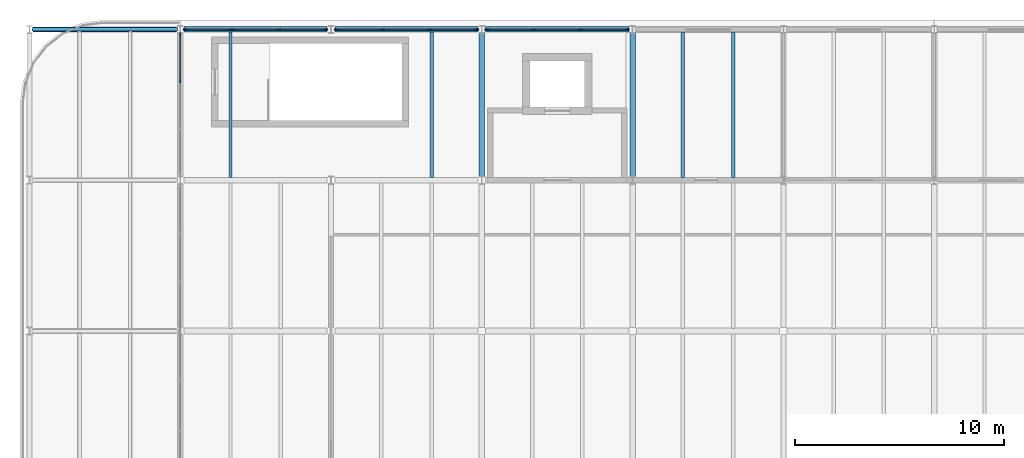
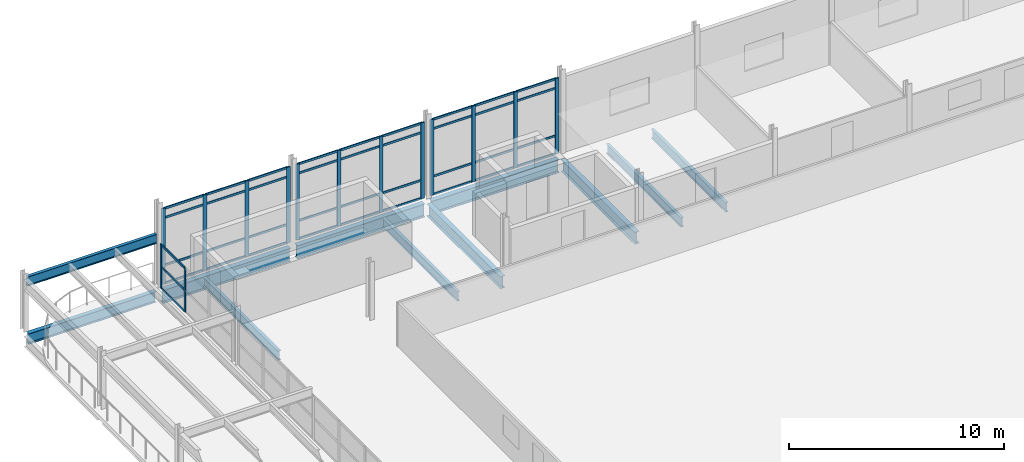
# One storey, part 13 of 25: 53 members, 11 beams, 4 elements without a shape of their own.
"""IFC4 building model written with IfcOpenShell, lengths in metres."""

from ifc_helpers import new_model, si_unit, direction, frame, origin, origin_2d, place, context, subcontext, project, spatial, rectangle, i_section, extrude, material, material_profile, profile_set, type_object, element, aggregate, save


model = new_model("IFC4")

# Units and contexts
model_context = context("Model", 3, precision=1e-05, world=origin(), true_north=direction((0.0, 1.0)))
body_context = subcontext(model_context, "Body", "Model", "MODEL_VIEW")
ifc_project = project(units=[si_unit("LENGTHUNIT", "METRE"), si_unit("AREAUNIT", "SQUARE_METRE"), si_unit("VOLUMEUNIT", "CUBIC_METRE"), si_unit("PLANEANGLEUNIT", "RADIAN"), si_unit("MASSUNIT", "GRAM", prefix="KILO")], contexts=[model_context])

# Site, building, storey
site_placement = place(None, origin())
site = spatial("IfcSite", under=ifc_project, at=site_placement, CompositionType="ELEMENT")
building_placement = place(site_placement, origin())
building = spatial("IfcBuilding", under=site, at=building_placement, Name="Vaelcorin Mobility Hub", CompositionType="ELEMENT")
storey_placement = place(building_placement, frame((0.0, 0.0, 21.0)))
storey = spatial("IfcBuildingStorey", under=building, at=storey_placement, Name="L05", CompositionType="ELEMENT", Elevation=21.0)

# Beams
ifc_material_1 = material(Name="Steel ASTM A992 Grade 50", Category="steel")
ifc_material_profile_1 = material_profile(ifc_material_1, i_section(OverallWidth=0.166015625, OverallDepth=0.528076171875, WebThickness=0.009765625, FlangeThickness=0.013671875, FilletRadius=0.013916015625, at=origin_2d()), Name="W21X50")
ifc_profile_set_1 = profile_set([ifc_material_profile_1], Name="Steel ASTM A992 Grade 50")
beam_type_1 = type_object("IfcBeamType", Name="BM-W21X50", PredefinedType="JOIST", material=ifc_profile_set_1)
for number, where, z_axis, x_axis, name in (
    (1, (45.60009765625, 112.931884765625, -0.52392578125), (0.0, 1.0, 0.0), (-1.0, 0.0, 0.0), "L05 Beam V3-L05-J-01-05-1"),
    (2, (55.199951171875, 112.931884765625, -0.52392578125), (0.0, 1.0, 0.0), (-1.0, 0.0, 0.0), "L05 Beam V3-L05-J-02-05-2"),
    (3, (67.199951171875, 112.931884765625, -0.52392578125), (0.0, 1.0, 0.0), (-1.0, 0.0, 0.0), "L05 Beam V3-L05-J-04-05-1"),
    (4, (69.60009765625, 112.931884765625, -0.52392578125), (0.0, 1.0, 0.0), (-1.0, 0.0, 0.0), "L05 Beam V3-L05-J-04-05-2"),
):
    element("IfcBeam", number, at=place(storey_placement, frame(where, z_axis=z_axis, x_axis=x_axis)), inside=storey, type_object=beam_type_1, Name=name, PredefinedType="JOIST", context=body_context, shape_type="SweptSolid", body=[
        extrude(i_section(OverallWidth=0.166015625, OverallDepth=0.528076171875, WebThickness=0.009765625, FlangeThickness=0.013671875, FilletRadius=0.013916015625, at=origin_2d()), origin(), (0.0, 0.0, 1.0), 6.93603515625),
    ])
beam_1_placement = place(storey_placement, frame((36.125, 120.0, 2.736083984375), z_axis=(1.0, 0.0, 0.0), x_axis=(0.0, 1.0, 0.0)))
element("IfcBeam", 5, at=beam_1_placement, inside=storey, type_object=beam_type_1, Name="L05 Beam V3-PERG-GX-01-05", PredefinedType="JOIST", context=body_context, shape_type="SweptSolid", body=[
    extrude(i_section(OverallWidth=0.166015625, OverallDepth=0.528076171875, WebThickness=0.009765625, FlangeThickness=0.013671875, FilletRadius=0.013916015625, at=origin_2d()), origin(), (0.0, 0.0, 1.0), 6.948974609375),
])
ifc_material_profile_2 = material_profile(ifc_material_1, i_section(OverallWidth=0.22802734375, OverallDepth=0.60205078125, WebThickness=0.010498046875, FlangeThickness=0.014892578125, FilletRadius=0.014892578125, at=origin_2d()), Name="W24X68")
ifc_profile_set_2 = profile_set([ifc_material_profile_2], Name="Steel ASTM A992 Grade 50")
beam_type_2 = type_object("IfcBeamType", Name="BM-W24X68", PredefinedType="SPANDREL", material=ifc_profile_set_2)
beam_2_placement = place(storey_placement, frame((36.181884765625, 120.0, -0.52099609375), z_axis=(1.0, 0.0, 0.0), x_axis=(0.0, 1.0, 0.0)))
element("IfcBeam", 6, at=beam_2_placement, inside=storey, type_object=beam_type_2, Name="L05 Beam V3W-L05-GX-06-01", PredefinedType="SPANDREL", context=body_context, shape_type="SweptSolid", body=[
    extrude(i_section(OverallWidth=0.22802734375, OverallDepth=0.60205078125, WebThickness=0.010498046875, FlangeThickness=0.014892578125, FilletRadius=0.014892578125, at=origin_2d()), origin(), (0.0, 0.0, 1.0), 6.836181640625),
])
ifc_material_profile_3 = material_profile(ifc_material_1, i_section(OverallWidth=0.25390625, OverallDepth=0.68310546875, WebThickness=0.012451171875, FlangeThickness=0.018798828125, FilletRadius=0.01611328125, at=origin_2d()), Name="W27X94")
ifc_profile_set_3 = profile_set([ifc_material_profile_3], Name="Steel ASTM A992 Grade 50")
beam_type_3 = type_object("IfcBeamType", Name="BM-W27X94", PredefinedType="BEAM", material=ifc_profile_set_3)
for number, where, z_axis, x_axis, name in (
    (7, (57.60009765625, 112.97998046875, -0.60205078125), (0.0, 1.0, 0.0), (-1.0, 0.0, 0.0), "L05 Beam V3-L05-GY-03-05"),
    (8, (64.800048828125, 112.97998046875, -0.60205078125), (0.0, 1.0, 0.0), (-1.0, 0.0, 0.0), "L05 Beam V3-L05-GY-04-05"),
):
    element("IfcBeam", number, at=place(storey_placement, frame(where, z_axis=z_axis, x_axis=x_axis)), inside=storey, type_object=beam_type_3, Name=name, PredefinedType="BEAM", context=body_context, shape_type="SweptSolid", body=[
        extrude(i_section(OverallWidth=0.25390625, OverallDepth=0.68310546875, WebThickness=0.012451171875, FlangeThickness=0.018798828125, FilletRadius=0.01611328125, at=origin_2d()), origin(), (0.0, 0.0, 1.0), 6.843994140625),
    ])
ifc_material_profile_4 = material_profile(ifc_material_1, i_section(OverallWidth=0.26708984375, OverallDepth=0.757080078125, WebThickness=0.013916015625, FlangeThickness=0.019287109375, FilletRadius=0.01708984375, at=origin_2d()), Name="W30X108")
ifc_profile_set_4 = profile_set([ifc_material_profile_4], Name="Steel ASTM A992 Grade 50")
beam_type_4 = type_object("IfcBeamType", Name="BM-W30X108", PredefinedType="BEAM", material=ifc_profile_set_4)
for number, where, z_axis, x_axis, name in (
    (9, (43.382080078125, 120.0, -0.637939453125), (1.0, 0.0, 0.0), (0.0, 1.0, 0.0), "L05 Beam V3-L05-GX-06-01"),
    (10, (50.58203125, 120.0, -0.637939453125), (1.0, 0.0, 0.0), (0.0, 1.0, 0.0), "L05 Beam V3-L05-GX-06-02"),
    (11, (57.781982421875, 120.0, -0.637939453125), (1.0, 0.0, 0.0), (0.0, 1.0, 0.0), "L05 Beam V3-L05-GX-06-03"),
):
    element("IfcBeam", number, at=place(storey_placement, frame(where, z_axis=z_axis, x_axis=x_axis)), inside=storey, type_object=beam_type_4, Name=name, PredefinedType="BEAM", context=body_context, shape_type="SweptSolid", body=[
        extrude(i_section(OverallWidth=0.26708984375, OverallDepth=0.757080078125, WebThickness=0.013916015625, FlangeThickness=0.019287109375, FilletRadius=0.01708984375, at=origin_2d()), origin(), (0.0, 0.0, 1.0), 6.8359375),
    ])

# Curtain wall, members
ifc_material_2 = material(Name="Anodised aluminium 6063-T6", Category="aluminium")
curtain_wall_type_1 = type_object("IfcCurtainWallType", Name="CW-SPT-A", PredefinedType="NOTDEFINED", material=ifc_material_2)
curtain_wall_1_placement = place(storey_placement, origin())
curtain_wall_1 = element("IfcCurtainWall", 12, at=curtain_wall_1_placement, inside=storey, type_object=curtain_wall_type_1, Name="L05 Curtain Wall CW-V3-W-05", PredefinedType="NOTDEFINED")
ifc_material_profile_5 = material_profile(ifc_material_2, rectangle(XDim=0.06005859375, YDim=0.159912109375, at=origin_2d()), Name="ALU-M60X160")
ifc_profile_set_5 = profile_set([ifc_material_profile_5], Name="Anodised aluminium 6063-T6")
member_type_1 = type_object("IfcMemberType", Name="CW-MULL-160", PredefinedType="MULLION", material=ifc_profile_set_5)
member_1_placement = place(storey_placement, frame((43.199951171875, 117.526611328125, 0.0), z_axis=(0.0, 0.0, 1.0), x_axis=(-1.0, 0.0, 0.0)))
member_1 = element("IfcMember", 13, at=member_1_placement, type_object=member_type_1, Name="CW5 mullion 3", PredefinedType="MULLION", context=body_context, shape_type="SweptSolid", body=[
    extrude(rectangle(XDim=0.06005859375, YDim=0.159912109375, at=origin_2d()), origin(), (0.0, 0.0, 1.0), 2.5),
])
member_2_placement = place(storey_placement, frame((43.199951171875, 119.75, 0.0), z_axis=(0.0, 0.0, 1.0), x_axis=(-1.0, 0.0, 0.0)))
member_2 = element("IfcMember", 14, at=member_2_placement, type_object=member_type_1, Name="CW5 mullion 4", PredefinedType="MULLION", context=body_context, shape_type="SweptSolid", body=[
    extrude(rectangle(XDim=0.06005859375, YDim=0.159912109375, at=origin_2d()), origin(), (0.0, 0.0, 1.0), 2.5),
])

curtain_wall_type_2 = type_object("IfcCurtainWallType", Name="CW-SPT-B", PredefinedType="NOTDEFINED", material=ifc_material_2)
curtain_wall_2_placement = place(storey_placement, origin())
curtain_wall_2 = element("IfcCurtainWall", 15, at=curtain_wall_2_placement, inside=storey, type_object=curtain_wall_type_2, Name="L05 Curtain Wall CW-V3-N-01", PredefinedType="NOTDEFINED")
ifc_material_profile_6 = material_profile(ifc_material_2, rectangle(XDim=0.070068359375, YDim=0.199951171875, at=origin_2d()), Name="ALU-M70X200")
ifc_profile_set_6 = profile_set([ifc_material_profile_6], Name="Anodised aluminium 6063-T6")
member_type_2 = type_object("IfcMemberType", Name="CW-MULL-200", PredefinedType="MULLION", material=ifc_profile_set_6)
member_3_placement = place(storey_placement, frame((43.449951171875, 120.0, 0.0), z_axis=(0.0, 0.0, 1.0), x_axis=(0.0, 1.0, 0.0)))
member_3 = element("IfcMember", 16, at=member_3_placement, type_object=member_type_2, Name="CW6 mullion 1", PredefinedType="MULLION", context=body_context, shape_type="SweptSolid", body=[
    extrude(rectangle(XDim=0.070068359375, YDim=0.199951171875, at=origin_2d()), origin(), (0.0, 0.0, 1.0), 4.300048828125),
])
member_4_placement = place(storey_placement, frame((45.67333984375, 120.0, 0.0), z_axis=(0.0, 0.0, 1.0), x_axis=(0.0, 1.0, 0.0)))
member_4 = element("IfcMember", 17, at=member_4_placement, type_object=member_type_2, Name="CW6 mullion 2", PredefinedType="MULLION", context=body_context, shape_type="SweptSolid", body=[
    extrude(rectangle(XDim=0.070068359375, YDim=0.199951171875, at=origin_2d()), origin(), (0.0, 0.0, 1.0), 4.300048828125),
])
member_5_placement = place(storey_placement, frame((47.9267578125, 120.0, 0.0), z_axis=(0.0, 0.0, 1.0), x_axis=(0.0, 1.0, 0.0)))
member_5 = element("IfcMember", 18, at=member_5_placement, type_object=member_type_2, Name="CW6 mullion 3", PredefinedType="MULLION", context=body_context, shape_type="SweptSolid", body=[
    extrude(rectangle(XDim=0.070068359375, YDim=0.199951171875, at=origin_2d()), origin(), (0.0, 0.0, 1.0), 4.300048828125),
])
member_6_placement = place(storey_placement, frame((50.14990234375, 120.0, 0.0), z_axis=(0.0, 0.0, 1.0), x_axis=(0.0, 1.0, 0.0)))
member_6 = element("IfcMember", 19, at=member_6_placement, type_object=member_type_2, Name="CW6 mullion 4", PredefinedType="MULLION", context=body_context, shape_type="SweptSolid", body=[
    extrude(rectangle(XDim=0.070068359375, YDim=0.199951171875, at=origin_2d()), origin(), (0.0, 0.0, 1.0), 4.300048828125),
])

curtain_wall_3_placement = place(storey_placement, origin())
curtain_wall_3 = element("IfcCurtainWall", 20, at=curtain_wall_3_placement, inside=storey, type_object=curtain_wall_type_2, Name="L05 Curtain Wall CW-V3-N-02", PredefinedType="NOTDEFINED")
member_7_placement = place(storey_placement, frame((50.64990234375, 120.0, 0.0), z_axis=(0.0, 0.0, 1.0), x_axis=(0.0, 1.0, 0.0)))
member_7 = element("IfcMember", 21, at=member_7_placement, type_object=member_type_2, Name="CW6 mullion 1", PredefinedType="MULLION", context=body_context, shape_type="SweptSolid", body=[
    extrude(rectangle(XDim=0.070068359375, YDim=0.199951171875, at=origin_2d()), origin(), (0.0, 0.0, 1.0), 4.300048828125),
])
member_8_placement = place(storey_placement, frame((52.873291015625, 120.0, 0.0), z_axis=(0.0, 0.0, 1.0), x_axis=(0.0, 1.0, 0.0)))
member_8 = element("IfcMember", 22, at=member_8_placement, type_object=member_type_2, Name="CW6 mullion 2", PredefinedType="MULLION", context=body_context, shape_type="SweptSolid", body=[
    extrude(rectangle(XDim=0.070068359375, YDim=0.199951171875, at=origin_2d()), origin(), (0.0, 0.0, 1.0), 4.300048828125),
])
member_9_placement = place(storey_placement, frame((55.126708984375, 120.0, 0.0), z_axis=(0.0, 0.0, 1.0), x_axis=(0.0, 1.0, 0.0)))
member_9 = element("IfcMember", 23, at=member_9_placement, type_object=member_type_2, Name="CW6 mullion 3", PredefinedType="MULLION", context=body_context, shape_type="SweptSolid", body=[
    extrude(rectangle(XDim=0.070068359375, YDim=0.199951171875, at=origin_2d()), origin(), (0.0, 0.0, 1.0), 4.300048828125),
])
member_10_placement = place(storey_placement, frame((57.35009765625, 120.0, 0.0), z_axis=(0.0, 0.0, 1.0), x_axis=(0.0, 1.0, 0.0)))
member_10 = element("IfcMember", 24, at=member_10_placement, type_object=member_type_2, Name="CW6 mullion 4", PredefinedType="MULLION", context=body_context, shape_type="SweptSolid", body=[
    extrude(rectangle(XDim=0.070068359375, YDim=0.199951171875, at=origin_2d()), origin(), (0.0, 0.0, 1.0), 4.300048828125),
])

curtain_wall_4_placement = place(storey_placement, origin())
curtain_wall_4 = element("IfcCurtainWall", 25, at=curtain_wall_4_placement, inside=storey, type_object=curtain_wall_type_2, Name="L05 Curtain Wall CW-V3-N-03", PredefinedType="NOTDEFINED")
member_11_placement = place(storey_placement, frame((57.85009765625, 120.0, 0.0), z_axis=(0.0, 0.0, 1.0), x_axis=(0.0, 1.0, 0.0)))
member_11 = element("IfcMember", 26, at=member_11_placement, type_object=member_type_2, Name="CW6 mullion 1", PredefinedType="MULLION", context=body_context, shape_type="SweptSolid", body=[
    extrude(rectangle(XDim=0.070068359375, YDim=0.199951171875, at=origin_2d()), origin(), (0.0, 0.0, 1.0), 4.300048828125),
])
member_12_placement = place(storey_placement, frame((60.0732421875, 120.0, 0.0), z_axis=(0.0, 0.0, 1.0), x_axis=(0.0, 1.0, 0.0)))
member_12 = element("IfcMember", 27, at=member_12_placement, type_object=member_type_2, Name="CW6 mullion 2", PredefinedType="MULLION", context=body_context, shape_type="SweptSolid", body=[
    extrude(rectangle(XDim=0.070068359375, YDim=0.199951171875, at=origin_2d()), origin(), (0.0, 0.0, 1.0), 4.300048828125),
])
member_13_placement = place(storey_placement, frame((62.32666015625, 120.0, 0.0), z_axis=(0.0, 0.0, 1.0), x_axis=(0.0, 1.0, 0.0)))
member_13 = element("IfcMember", 28, at=member_13_placement, type_object=member_type_2, Name="CW6 mullion 3", PredefinedType="MULLION", context=body_context, shape_type="SweptSolid", body=[
    extrude(rectangle(XDim=0.070068359375, YDim=0.199951171875, at=origin_2d()), origin(), (0.0, 0.0, 1.0), 4.300048828125),
])
member_14_placement = place(storey_placement, frame((64.550048828125, 120.0, 0.0), z_axis=(0.0, 0.0, 1.0), x_axis=(0.0, 1.0, 0.0)))
member_14 = element("IfcMember", 29, at=member_14_placement, type_object=member_type_2, Name="CW6 mullion 4", PredefinedType="MULLION", context=body_context, shape_type="SweptSolid", body=[
    extrude(rectangle(XDim=0.070068359375, YDim=0.199951171875, at=origin_2d()), origin(), (0.0, 0.0, 1.0), 4.300048828125),
])

# Member
ifc_material_profile_7 = material_profile(ifc_material_2, rectangle(XDim=0.06005859375, YDim=0.1201171875, at=origin_2d()), Name="ALU-T60X120")
ifc_profile_set_7 = profile_set([ifc_material_profile_7], Name="Anodised aluminium 6063-T6")
member_type_3 = type_object("IfcMemberType", Name="CW-TRAN-140", PredefinedType="USERDEFINED", material=ifc_profile_set_7)
member_15_placement = place(storey_placement, frame((43.47998046875, 120.0, 0.030029296875), z_axis=(1.0, 0.0, 0.0), x_axis=(0.0, 1.0, 0.0)))
member_15 = element("IfcMember", 30, at=member_15_placement, type_object=member_type_3, Name="CW6 transom 1.1", ObjectType="TRANSOM", PredefinedType="USERDEFINED", context=body_context, shape_type="SweptSolid", body=[
    extrude(rectangle(XDim=0.06005859375, YDim=0.1201171875, at=origin_2d()), origin(), (0.0, 0.0, 1.0), 2.163330078125),
])

member_16_placement = place(storey_placement, frame((43.47998046875, 120.0, 1.050048828125), z_axis=(1.0, 0.0, 0.0), x_axis=(0.0, 1.0, 0.0)))
member_16 = element("IfcMember", 31, at=member_16_placement, type_object=member_type_3, Name="CW6 transom 1.2", ObjectType="TRANSOM", PredefinedType="USERDEFINED", context=body_context, shape_type="SweptSolid", body=[
    extrude(rectangle(XDim=0.06005859375, YDim=0.1201171875, at=origin_2d()), origin(), (0.0, 0.0, 1.0), 2.163330078125),
])

member_17_placement = place(storey_placement, frame((43.47998046875, 120.0, 3.75), z_axis=(1.0, 0.0, 0.0), x_axis=(0.0, 1.0, 0.0)))
member_17 = element("IfcMember", 32, at=member_17_placement, type_object=member_type_3, Name="CW6 transom 1.3", ObjectType="TRANSOM", PredefinedType="USERDEFINED", context=body_context, shape_type="SweptSolid", body=[
    extrude(rectangle(XDim=0.06005859375, YDim=0.1201171875, at=origin_2d()), origin(), (0.0, 0.0, 1.0), 2.163330078125),
])

member_18_placement = place(storey_placement, frame((43.47998046875, 120.0, 4.27001953125), z_axis=(1.0, 0.0, 0.0), x_axis=(0.0, 1.0, 0.0)))
member_18 = element("IfcMember", 33, at=member_18_placement, type_object=member_type_3, Name="CW6 transom 1.4", ObjectType="TRANSOM", PredefinedType="USERDEFINED", context=body_context, shape_type="SweptSolid", body=[
    extrude(rectangle(XDim=0.06005859375, YDim=0.1201171875, at=origin_2d()), origin(), (0.0, 0.0, 1.0), 2.163330078125),
])

member_19_placement = place(storey_placement, frame((45.703369140625, 120.0, 0.030029296875), z_axis=(1.0, 0.0, 0.0), x_axis=(0.0, 1.0, 0.0)))
member_19 = element("IfcMember", 34, at=member_19_placement, type_object=member_type_3, Name="CW6 transom 2.1", ObjectType="TRANSOM", PredefinedType="USERDEFINED", context=body_context, shape_type="SweptSolid", body=[
    extrude(rectangle(XDim=0.06005859375, YDim=0.1201171875, at=origin_2d()), origin(), (0.0, 0.0, 1.0), 2.193359375),
])

member_20_placement = place(storey_placement, frame((45.703369140625, 120.0, 1.050048828125), z_axis=(1.0, 0.0, 0.0), x_axis=(0.0, 1.0, 0.0)))
member_20 = element("IfcMember", 35, at=member_20_placement, type_object=member_type_3, Name="CW6 transom 2.2", ObjectType="TRANSOM", PredefinedType="USERDEFINED", context=body_context, shape_type="SweptSolid", body=[
    extrude(rectangle(XDim=0.06005859375, YDim=0.1201171875, at=origin_2d()), origin(), (0.0, 0.0, 1.0), 2.193359375),
])

member_21_placement = place(storey_placement, frame((45.703369140625, 120.0, 3.75), z_axis=(1.0, 0.0, 0.0), x_axis=(0.0, 1.0, 0.0)))
member_21 = element("IfcMember", 36, at=member_21_placement, type_object=member_type_3, Name="CW6 transom 2.3", ObjectType="TRANSOM", PredefinedType="USERDEFINED", context=body_context, shape_type="SweptSolid", body=[
    extrude(rectangle(XDim=0.06005859375, YDim=0.1201171875, at=origin_2d()), origin(), (0.0, 0.0, 1.0), 2.193359375),
])

member_22_placement = place(storey_placement, frame((45.703369140625, 120.0, 4.27001953125), z_axis=(1.0, 0.0, 0.0), x_axis=(0.0, 1.0, 0.0)))
member_22 = element("IfcMember", 37, at=member_22_placement, type_object=member_type_3, Name="CW6 transom 2.4", ObjectType="TRANSOM", PredefinedType="USERDEFINED", context=body_context, shape_type="SweptSolid", body=[
    extrude(rectangle(XDim=0.06005859375, YDim=0.1201171875, at=origin_2d()), origin(), (0.0, 0.0, 1.0), 2.193359375),
])

member_23_placement = place(storey_placement, frame((47.956787109375, 120.0, 0.030029296875), z_axis=(1.0, 0.0, 0.0), x_axis=(0.0, 1.0, 0.0)))
member_23 = element("IfcMember", 38, at=member_23_placement, type_object=member_type_3, Name="CW6 transom 3.1", ObjectType="TRANSOM", PredefinedType="USERDEFINED", context=body_context, shape_type="SweptSolid", body=[
    extrude(rectangle(XDim=0.06005859375, YDim=0.1201171875, at=origin_2d()), origin(), (0.0, 0.0, 1.0), 2.163330078125),
])

member_24_placement = place(storey_placement, frame((47.956787109375, 120.0, 1.050048828125), z_axis=(1.0, 0.0, 0.0), x_axis=(0.0, 1.0, 0.0)))
member_24 = element("IfcMember", 39, at=member_24_placement, type_object=member_type_3, Name="CW6 transom 3.2", ObjectType="TRANSOM", PredefinedType="USERDEFINED", context=body_context, shape_type="SweptSolid", body=[
    extrude(rectangle(XDim=0.06005859375, YDim=0.1201171875, at=origin_2d()), origin(), (0.0, 0.0, 1.0), 2.163330078125),
])

member_25_placement = place(storey_placement, frame((47.956787109375, 120.0, 3.75), z_axis=(1.0, 0.0, 0.0), x_axis=(0.0, 1.0, 0.0)))
member_25 = element("IfcMember", 40, at=member_25_placement, type_object=member_type_3, Name="CW6 transom 3.3", ObjectType="TRANSOM", PredefinedType="USERDEFINED", context=body_context, shape_type="SweptSolid", body=[
    extrude(rectangle(XDim=0.06005859375, YDim=0.1201171875, at=origin_2d()), origin(), (0.0, 0.0, 1.0), 2.163330078125),
])

member_26_placement = place(storey_placement, frame((47.956787109375, 120.0, 4.27001953125), z_axis=(1.0, 0.0, 0.0), x_axis=(0.0, 1.0, 0.0)))
member_26 = element("IfcMember", 41, at=member_26_placement, type_object=member_type_3, Name="CW6 transom 3.4", ObjectType="TRANSOM", PredefinedType="USERDEFINED", context=body_context, shape_type="SweptSolid", body=[
    extrude(rectangle(XDim=0.06005859375, YDim=0.1201171875, at=origin_2d()), origin(), (0.0, 0.0, 1.0), 2.163330078125),
])

aggregate(curtain_wall_2, [member_3, member_4, member_5, member_6, member_15, member_16, member_17, member_18, member_19, member_20, member_21, member_22, member_23, member_24, member_25, member_26])

member_27_placement = place(storey_placement, frame((50.679931640625, 120.0, 0.030029296875), z_axis=(1.0, 0.0, 0.0), x_axis=(0.0, 1.0, 0.0)))
member_27 = element("IfcMember", 42, at=member_27_placement, type_object=member_type_3, Name="CW6 transom 1.1", ObjectType="TRANSOM", PredefinedType="USERDEFINED", context=body_context, shape_type="SweptSolid", body=[
    extrude(rectangle(XDim=0.06005859375, YDim=0.1201171875, at=origin_2d()), origin(), (0.0, 0.0, 1.0), 2.163330078125),
])

member_28_placement = place(storey_placement, frame((50.679931640625, 120.0, 1.050048828125), z_axis=(1.0, 0.0, 0.0), x_axis=(0.0, 1.0, 0.0)))
member_28 = element("IfcMember", 43, at=member_28_placement, type_object=member_type_3, Name="CW6 transom 1.2", ObjectType="TRANSOM", PredefinedType="USERDEFINED", context=body_context, shape_type="SweptSolid", body=[
    extrude(rectangle(XDim=0.06005859375, YDim=0.1201171875, at=origin_2d()), origin(), (0.0, 0.0, 1.0), 2.163330078125),
])

member_29_placement = place(storey_placement, frame((50.679931640625, 120.0, 3.75), z_axis=(1.0, 0.0, 0.0), x_axis=(0.0, 1.0, 0.0)))
member_29 = element("IfcMember", 44, at=member_29_placement, type_object=member_type_3, Name="CW6 transom 1.3", ObjectType="TRANSOM", PredefinedType="USERDEFINED", context=body_context, shape_type="SweptSolid", body=[
    extrude(rectangle(XDim=0.06005859375, YDim=0.1201171875, at=origin_2d()), origin(), (0.0, 0.0, 1.0), 2.163330078125),
])

member_30_placement = place(storey_placement, frame((50.679931640625, 120.0, 4.27001953125), z_axis=(1.0, 0.0, 0.0), x_axis=(0.0, 1.0, 0.0)))
member_30 = element("IfcMember", 45, at=member_30_placement, type_object=member_type_3, Name="CW6 transom 1.4", ObjectType="TRANSOM", PredefinedType="USERDEFINED", context=body_context, shape_type="SweptSolid", body=[
    extrude(rectangle(XDim=0.06005859375, YDim=0.1201171875, at=origin_2d()), origin(), (0.0, 0.0, 1.0), 2.163330078125),
])

member_31_placement = place(storey_placement, frame((52.9033203125, 120.0, 0.030029296875), z_axis=(1.0, 0.0, 0.0), x_axis=(0.0, 1.0, 0.0)))
member_31 = element("IfcMember", 46, at=member_31_placement, type_object=member_type_3, Name="CW6 transom 2.1", ObjectType="TRANSOM", PredefinedType="USERDEFINED", context=body_context, shape_type="SweptSolid", body=[
    extrude(rectangle(XDim=0.06005859375, YDim=0.1201171875, at=origin_2d()), origin(), (0.0, 0.0, 1.0), 2.193359375),
])

member_32_placement = place(storey_placement, frame((52.9033203125, 120.0, 1.050048828125), z_axis=(1.0, 0.0, 0.0), x_axis=(0.0, 1.0, 0.0)))
member_32 = element("IfcMember", 47, at=member_32_placement, type_object=member_type_3, Name="CW6 transom 2.2", ObjectType="TRANSOM", PredefinedType="USERDEFINED", context=body_context, shape_type="SweptSolid", body=[
    extrude(rectangle(XDim=0.06005859375, YDim=0.1201171875, at=origin_2d()), origin(), (0.0, 0.0, 1.0), 2.193359375),
])

member_33_placement = place(storey_placement, frame((52.9033203125, 120.0, 3.75), z_axis=(1.0, 0.0, 0.0), x_axis=(0.0, 1.0, 0.0)))
member_33 = element("IfcMember", 48, at=member_33_placement, type_object=member_type_3, Name="CW6 transom 2.3", ObjectType="TRANSOM", PredefinedType="USERDEFINED", context=body_context, shape_type="SweptSolid", body=[
    extrude(rectangle(XDim=0.06005859375, YDim=0.1201171875, at=origin_2d()), origin(), (0.0, 0.0, 1.0), 2.193359375),
])

member_34_placement = place(storey_placement, frame((52.9033203125, 120.0, 4.27001953125), z_axis=(1.0, 0.0, 0.0), x_axis=(0.0, 1.0, 0.0)))
member_34 = element("IfcMember", 49, at=member_34_placement, type_object=member_type_3, Name="CW6 transom 2.4", ObjectType="TRANSOM", PredefinedType="USERDEFINED", context=body_context, shape_type="SweptSolid", body=[
    extrude(rectangle(XDim=0.06005859375, YDim=0.1201171875, at=origin_2d()), origin(), (0.0, 0.0, 1.0), 2.193359375),
])

member_35_placement = place(storey_placement, frame((55.15673828125, 120.0, 0.030029296875), z_axis=(1.0, 0.0, 0.0), x_axis=(0.0, 1.0, 0.0)))
member_35 = element("IfcMember", 50, at=member_35_placement, type_object=member_type_3, Name="CW6 transom 3.1", ObjectType="TRANSOM", PredefinedType="USERDEFINED", context=body_context, shape_type="SweptSolid", body=[
    extrude(rectangle(XDim=0.06005859375, YDim=0.1201171875, at=origin_2d()), origin(), (0.0, 0.0, 1.0), 2.163330078125),
])

member_36_placement = place(storey_placement, frame((55.15673828125, 120.0, 1.050048828125), z_axis=(1.0, 0.0, 0.0), x_axis=(0.0, 1.0, 0.0)))
member_36 = element("IfcMember", 51, at=member_36_placement, type_object=member_type_3, Name="CW6 transom 3.2", ObjectType="TRANSOM", PredefinedType="USERDEFINED", context=body_context, shape_type="SweptSolid", body=[
    extrude(rectangle(XDim=0.06005859375, YDim=0.1201171875, at=origin_2d()), origin(), (0.0, 0.0, 1.0), 2.163330078125),
])

member_37_placement = place(storey_placement, frame((55.15673828125, 120.0, 3.75), z_axis=(1.0, 0.0, 0.0), x_axis=(0.0, 1.0, 0.0)))
member_37 = element("IfcMember", 52, at=member_37_placement, type_object=member_type_3, Name="CW6 transom 3.3", ObjectType="TRANSOM", PredefinedType="USERDEFINED", context=body_context, shape_type="SweptSolid", body=[
    extrude(rectangle(XDim=0.06005859375, YDim=0.1201171875, at=origin_2d()), origin(), (0.0, 0.0, 1.0), 2.163330078125),
])

member_38_placement = place(storey_placement, frame((55.15673828125, 120.0, 4.27001953125), z_axis=(1.0, 0.0, 0.0), x_axis=(0.0, 1.0, 0.0)))
member_38 = element("IfcMember", 53, at=member_38_placement, type_object=member_type_3, Name="CW6 transom 3.4", ObjectType="TRANSOM", PredefinedType="USERDEFINED", context=body_context, shape_type="SweptSolid", body=[
    extrude(rectangle(XDim=0.06005859375, YDim=0.1201171875, at=origin_2d()), origin(), (0.0, 0.0, 1.0), 2.163330078125),
])

aggregate(curtain_wall_3, [member_7, member_8, member_9, member_10, member_27, member_28, member_29, member_30, member_31, member_32, member_33, member_34, member_35, member_36, member_37, member_38])

member_39_placement = place(storey_placement, frame((57.8798828125, 120.0, 0.030029296875), z_axis=(1.0, 0.0, 0.0), x_axis=(0.0, 1.0, 0.0)))
member_39 = element("IfcMember", 54, at=member_39_placement, type_object=member_type_3, Name="CW6 transom 1.1", ObjectType="TRANSOM", PredefinedType="USERDEFINED", context=body_context, shape_type="SweptSolid", body=[
    extrude(rectangle(XDim=0.06005859375, YDim=0.1201171875, at=origin_2d()), origin(), (0.0, 0.0, 1.0), 2.163330078125),
])

member_40_placement = place(storey_placement, frame((57.8798828125, 120.0, 1.050048828125), z_axis=(1.0, 0.0, 0.0), x_axis=(0.0, 1.0, 0.0)))
member_40 = element("IfcMember", 55, at=member_40_placement, type_object=member_type_3, Name="CW6 transom 1.2", ObjectType="TRANSOM", PredefinedType="USERDEFINED", context=body_context, shape_type="SweptSolid", body=[
    extrude(rectangle(XDim=0.06005859375, YDim=0.1201171875, at=origin_2d()), origin(), (0.0, 0.0, 1.0), 2.163330078125),
])

member_41_placement = place(storey_placement, frame((57.8798828125, 120.0, 3.75), z_axis=(1.0, 0.0, 0.0), x_axis=(0.0, 1.0, 0.0)))
member_41 = element("IfcMember", 56, at=member_41_placement, type_object=member_type_3, Name="CW6 transom 1.3", ObjectType="TRANSOM", PredefinedType="USERDEFINED", context=body_context, shape_type="SweptSolid", body=[
    extrude(rectangle(XDim=0.06005859375, YDim=0.1201171875, at=origin_2d()), origin(), (0.0, 0.0, 1.0), 2.163330078125),
])

member_42_placement = place(storey_placement, frame((57.8798828125, 120.0, 4.27001953125), z_axis=(1.0, 0.0, 0.0), x_axis=(0.0, 1.0, 0.0)))
member_42 = element("IfcMember", 57, at=member_42_placement, type_object=member_type_3, Name="CW6 transom 1.4", ObjectType="TRANSOM", PredefinedType="USERDEFINED", context=body_context, shape_type="SweptSolid", body=[
    extrude(rectangle(XDim=0.06005859375, YDim=0.1201171875, at=origin_2d()), origin(), (0.0, 0.0, 1.0), 2.163330078125),
])

member_43_placement = place(storey_placement, frame((60.103271484375, 120.0, 0.030029296875), z_axis=(1.0, 0.0, 0.0), x_axis=(0.0, 1.0, 0.0)))
member_43 = element("IfcMember", 58, at=member_43_placement, type_object=member_type_3, Name="CW6 transom 2.1", ObjectType="TRANSOM", PredefinedType="USERDEFINED", context=body_context, shape_type="SweptSolid", body=[
    extrude(rectangle(XDim=0.06005859375, YDim=0.1201171875, at=origin_2d()), origin(), (0.0, 0.0, 1.0), 2.193359375),
])

member_44_placement = place(storey_placement, frame((60.103271484375, 120.0, 1.050048828125), z_axis=(1.0, 0.0, 0.0), x_axis=(0.0, 1.0, 0.0)))
member_44 = element("IfcMember", 59, at=member_44_placement, type_object=member_type_3, Name="CW6 transom 2.2", ObjectType="TRANSOM", PredefinedType="USERDEFINED", context=body_context, shape_type="SweptSolid", body=[
    extrude(rectangle(XDim=0.06005859375, YDim=0.1201171875, at=origin_2d()), origin(), (0.0, 0.0, 1.0), 2.193359375),
])

member_45_placement = place(storey_placement, frame((60.103271484375, 120.0, 3.75), z_axis=(1.0, 0.0, 0.0), x_axis=(0.0, 1.0, 0.0)))
member_45 = element("IfcMember", 60, at=member_45_placement, type_object=member_type_3, Name="CW6 transom 2.3", ObjectType="TRANSOM", PredefinedType="USERDEFINED", context=body_context, shape_type="SweptSolid", body=[
    extrude(rectangle(XDim=0.06005859375, YDim=0.1201171875, at=origin_2d()), origin(), (0.0, 0.0, 1.0), 2.193359375),
])

member_46_placement = place(storey_placement, frame((60.103271484375, 120.0, 4.27001953125), z_axis=(1.0, 0.0, 0.0), x_axis=(0.0, 1.0, 0.0)))
member_46 = element("IfcMember", 61, at=member_46_placement, type_object=member_type_3, Name="CW6 transom 2.4", ObjectType="TRANSOM", PredefinedType="USERDEFINED", context=body_context, shape_type="SweptSolid", body=[
    extrude(rectangle(XDim=0.06005859375, YDim=0.1201171875, at=origin_2d()), origin(), (0.0, 0.0, 1.0), 2.193359375),
])

member_47_placement = place(storey_placement, frame((62.356689453125, 120.0, 0.030029296875), z_axis=(1.0, 0.0, 0.0), x_axis=(0.0, 1.0, 0.0)))
member_47 = element("IfcMember", 62, at=member_47_placement, type_object=member_type_3, Name="CW6 transom 3.1", ObjectType="TRANSOM", PredefinedType="USERDEFINED", context=body_context, shape_type="SweptSolid", body=[
    extrude(rectangle(XDim=0.06005859375, YDim=0.1201171875, at=origin_2d()), origin(), (0.0, 0.0, 1.0), 2.163330078125),
])

member_48_placement = place(storey_placement, frame((62.356689453125, 120.0, 1.050048828125), z_axis=(1.0, 0.0, 0.0), x_axis=(0.0, 1.0, 0.0)))
member_48 = element("IfcMember", 63, at=member_48_placement, type_object=member_type_3, Name="CW6 transom 3.2", ObjectType="TRANSOM", PredefinedType="USERDEFINED", context=body_context, shape_type="SweptSolid", body=[
    extrude(rectangle(XDim=0.06005859375, YDim=0.1201171875, at=origin_2d()), origin(), (0.0, 0.0, 1.0), 2.163330078125),
])

member_49_placement = place(storey_placement, frame((62.356689453125, 120.0, 3.75), z_axis=(1.0, 0.0, 0.0), x_axis=(0.0, 1.0, 0.0)))
member_49 = element("IfcMember", 64, at=member_49_placement, type_object=member_type_3, Name="CW6 transom 3.3", ObjectType="TRANSOM", PredefinedType="USERDEFINED", context=body_context, shape_type="SweptSolid", body=[
    extrude(rectangle(XDim=0.06005859375, YDim=0.1201171875, at=origin_2d()), origin(), (0.0, 0.0, 1.0), 2.163330078125),
])

member_50_placement = place(storey_placement, frame((62.356689453125, 120.0, 4.27001953125), z_axis=(1.0, 0.0, 0.0), x_axis=(0.0, 1.0, 0.0)))
member_50 = element("IfcMember", 65, at=member_50_placement, type_object=member_type_3, Name="CW6 transom 3.4", ObjectType="TRANSOM", PredefinedType="USERDEFINED", context=body_context, shape_type="SweptSolid", body=[
    extrude(rectangle(XDim=0.06005859375, YDim=0.1201171875, at=origin_2d()), origin(), (0.0, 0.0, 1.0), 2.163330078125),
])

aggregate(curtain_wall_4, [member_11, member_12, member_13, member_14, member_39, member_40, member_41, member_42, member_43, member_44, member_45, member_46, member_47, member_48, member_49, member_50])

member_51_placement = place(storey_placement, frame((43.199951171875, 117.556640625, 0.030029296875), z_axis=(0.0, 1.0, 0.0), x_axis=(-1.0, 0.0, 0.0)))
member_51 = element("IfcMember", 66, at=member_51_placement, type_object=member_type_3, Name="CW5 transom 3.1", ObjectType="TRANSOM", PredefinedType="USERDEFINED", context=body_context, shape_type="SweptSolid", body=[
    extrude(rectangle(XDim=0.06005859375, YDim=0.1201171875, at=origin_2d()), origin(), (0.0, 0.0, 1.0), 2.163330078125),
])

member_52_placement = place(storey_placement, frame((43.199951171875, 117.556640625, 1.25), z_axis=(0.0, 1.0, 0.0), x_axis=(-1.0, 0.0, 0.0)))
member_52 = element("IfcMember", 67, at=member_52_placement, type_object=member_type_3, Name="CW5 transom 3.2", ObjectType="TRANSOM", PredefinedType="USERDEFINED", context=body_context, shape_type="SweptSolid", body=[
    extrude(rectangle(XDim=0.06005859375, YDim=0.1201171875, at=origin_2d()), origin(), (0.0, 0.0, 1.0), 2.163330078125),
])

member_53_placement = place(storey_placement, frame((43.199951171875, 117.556640625, 2.469970703125), z_axis=(0.0, 1.0, 0.0), x_axis=(-1.0, 0.0, 0.0)))
member_53 = element("IfcMember", 68, at=member_53_placement, type_object=member_type_3, Name="CW5 transom 3.3", ObjectType="TRANSOM", PredefinedType="USERDEFINED", context=body_context, shape_type="SweptSolid", body=[
    extrude(rectangle(XDim=0.06005859375, YDim=0.1201171875, at=origin_2d()), origin(), (0.0, 0.0, 1.0), 2.163330078125),
])

aggregate(curtain_wall_1, [member_1, member_2, member_51, member_52, member_53])

save(model, "model.ifc")
